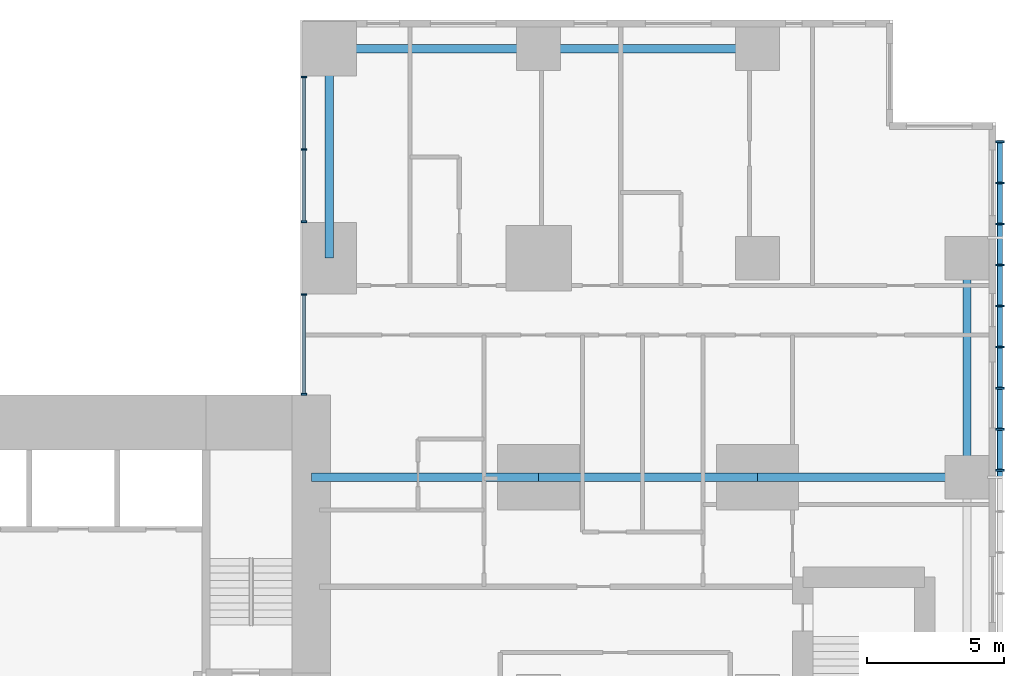
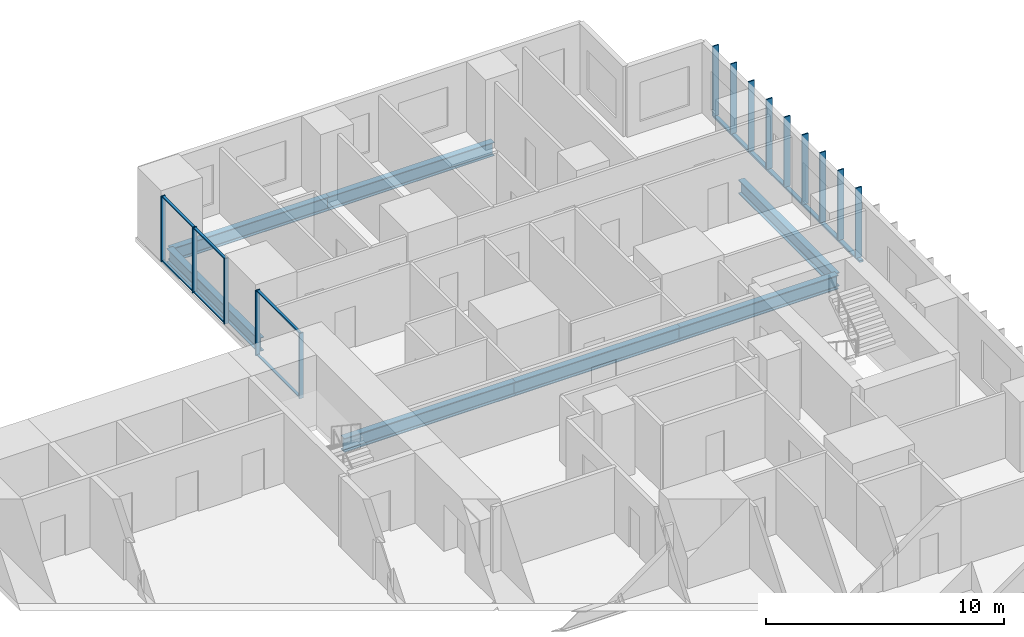
# One storey, part 3 of 12: 21 members, 7 beams, 2 elements without a shape of their own.
"""IFC4 building model written with IfcOpenShell, lengths in metres."""

import ifcopenshell
import ifcopenshell.guid

model = None  # the IFC model being written
_history = None  # IfcOwnerHistory: only IFC2X3 demands one
_inside = {}  # id of a spatial element -> (the spatial element, [elements in it])
_under = {}  # id of a project, library or spatial element -> (it, [spatial elements below it])
_declared = {}  # id of a project -> (the project, [libraries it declares])
_typed = {}  # id of a type object -> (the type object, [elements of that type])
_made_of = {}  # id of a material, layer set ... -> (it, [elements and type objects made of it])


def new_model(schema):
    """Start an empty IFC model of exactly this schema.

    Asked for "IFC4X3", IfcOpenShell would pick the latest addendum, in which some entities
    have other attributes; the version numbers below select the first issue.
    IFC2X3 requires an IfcOwnerHistory on every rooted entity: one is made here for all.
    """
    global model, _history
    if schema == "IFC4X3":
        model = ifcopenshell.file(schema_version=(4, 3, 0, 0))
    else:
        model = ifcopenshell.file(schema=schema)
    _inside.clear()
    _under.clear()
    _declared.clear()
    _typed.clear()
    _made_of.clear()
    _history = None
    if model.schema == "IFC2X3":
        org = make("IfcOrganization", Name="unknown")
        user = make(
            "IfcPersonAndOrganization",
            ThePerson=make("IfcPerson", FamilyName="unknown"),
            TheOrganization=org,
        )
        app = make(
            "IfcApplication",
            ApplicationDeveloper=org,
            Version="unknown",
            ApplicationFullName="unknown",
            ApplicationIdentifier="unknown",
        )
        _history = make(
            "IfcOwnerHistory",
            OwningUser=user,
            OwningApplication=app,
            ChangeAction="ADDED",
            CreationDate=0,
        )
    return model


def make(cls, **values):
    """One entity of the class cls with the attributes given. An attribute that is None is left unset."""
    return model.create_entity(
        cls, **{name: value for name, value in values.items() if value is not None}
    )


def rooted(cls, **values):
    """An entity with a GlobalId (a new one), such as an element, a storey or a relation."""
    return make(cls, GlobalId=ifcopenshell.guid.new(), OwnerHistory=_history, **values)


def si_unit(unit_type, name, prefix=None):
    """IfcSIUnit, for example si_unit("LENGTHUNIT", "METRE", prefix="MILLI")."""
    return make("IfcSIUnit", UnitType=unit_type, Prefix=prefix, Name=name)


def assignment(units):
    """IfcUnitAssignment: the units of a project."""
    return None if units is None else make("IfcUnitAssignment", Units=units)


def point(xyz):
    """IfcCartesianPoint."""
    return None if xyz is None else make("IfcCartesianPoint", Coordinates=xyz)


def direction(xyz):
    """IfcDirection."""
    return None if xyz is None else make("IfcDirection", DirectionRatios=xyz)


def frame(location, z_axis=None, x_axis=None):
    """IfcAxis2Placement3D, a coordinate frame: its origin and axes. An axis left out is left unset."""
    return make(
        "IfcAxis2Placement3D",
        Location=point(location),
        Axis=direction(z_axis),
        RefDirection=direction(x_axis),
    )


def frame_2d(location, x_axis=None):
    """IfcAxis2Placement2D, a coordinate frame in the plane: its origin and x axis."""
    return make(
        "IfcAxis2Placement2D", Location=point(location), RefDirection=direction(x_axis)
    )


def origin():
    """The frame at (0, 0, 0) with its axes left unset."""
    return frame((0.0, 0.0, 0.0))


def origin_2d():
    """The frame at (0, 0) in the plane with its x axis left unset."""
    return frame_2d((0.0, 0.0))


def place(relative_to, where):
    """IfcLocalPlacement: puts the frame where relative to a parent placement (None: the world)."""
    return make(
        "IfcLocalPlacement", PlacementRelTo=relative_to, RelativePlacement=where
    )


def context(
    kind, dimensions, precision=None, world=None, true_north=None, identifier=None
):
    """IfcGeometricRepresentationContext, for example the 3D "Model" context."""
    return make(
        "IfcGeometricRepresentationContext",
        ContextIdentifier=identifier,
        ContextType=kind,
        CoordinateSpaceDimension=dimensions,
        Precision=precision,
        WorldCoordinateSystem=world,
        TrueNorth=true_north,
    )


def subcontext(parent, identifier, kind, view, scale=None):
    """IfcGeometricRepresentationSubContext, for example "Body" below "Model"."""
    return make(
        "IfcGeometricRepresentationSubContext",
        ContextIdentifier=identifier,
        ContextType=kind,
        ParentContext=parent,
        TargetScale=scale,
        TargetView=view,
    )


def project(units=None, contexts=None):
    """IfcProject with its units and contexts."""
    return rooted(
        "IfcProject",
        Name="project",
        RepresentationContexts=contexts,
        UnitsInContext=assignment(units),
    )


def spatial(cls, under=None, at=None, **own):
    """A site, building, storey or space (cls), placed at a placement, below another one or the project."""
    s = rooted(cls, ObjectPlacement=at, **own)
    if under is not None:
        _under.setdefault(under.id(), (under, []))[1].append(s)
    return s


def profile(cls, at=None, kind="AREA", **sizes):
    """A parametric profile (cls). Its sizes go by their IFC names, for example OverallWidth=200.0."""
    return make(cls, ProfileType=kind, Position=at, **sizes)


def rectangle(**sizes):
    """IfcRectangleProfileDef."""
    return profile("IfcRectangleProfileDef", **sizes)


def hollow_rectangle(**sizes):
    """IfcRectangleHollowProfileDef."""
    return profile("IfcRectangleHollowProfileDef", **sizes)


def i_section(**sizes):
    """IfcIShapeProfileDef."""
    return profile("IfcIShapeProfileDef", **sizes)


def extrude(swept, where, along, depth):
    """IfcExtrudedAreaSolid: the profile swept, set in the frame where, extruded along a direction by depth."""
    return make(
        "IfcExtrudedAreaSolid",
        SweptArea=swept,
        Position=where,
        ExtrudedDirection=direction(along),
        Depth=depth,
    )


def shape(context_of_items, identifier, shape_type, items):
    """IfcShapeRepresentation: the items that make up one representation, for example the "Body"."""
    return make(
        "IfcShapeRepresentation",
        ContextOfItems=context_of_items,
        RepresentationIdentifier=identifier,
        RepresentationType=shape_type,
        Items=items,
    )


def material(Name=None, Category=None):
    """IfcMaterial."""
    return make("IfcMaterial", Name=Name, Category=Category)


def layer(
    of_material, thickness, ventilated=None, Name=None, Category=None, Priority=None
):
    """IfcMaterialLayer: one layer of a wall or slab, of a material (None: an air gap)."""
    return make(
        "IfcMaterialLayer",
        Material=of_material,
        LayerThickness=thickness,
        IsVentilated=ventilated,
        Name=Name,
        Category=Category,
        Priority=Priority,
    )


def layer_set(layers, Name=None):
    """IfcMaterialLayerSet."""
    return make("IfcMaterialLayerSet", MaterialLayers=layers, LayerSetName=Name)


def material_profile(
    of_material, cross_section, Name=None, Category=None, Priority=None
):
    """IfcMaterialProfile: a cross section and its material."""
    return make(
        "IfcMaterialProfile",
        Name=Name,
        Material=of_material,
        Profile=cross_section,
        Priority=Priority,
        Category=Category,
    )


def profile_set(profiles, Name=None, composite=None):
    """IfcMaterialProfileSet."""
    return make(
        "IfcMaterialProfileSet",
        Name=Name,
        MaterialProfiles=profiles,
        CompositeProfile=composite,
    )


def made_of(thing, what):
    """Note that an element or type object is made of a material, layer set ...; save() writes the relation."""
    if what is not None:
        _made_of.setdefault(what.id(), (what, []))[1].append(thing)
    return thing


def type_object(cls, material=None, **own):
    """A type object (cls), such as IfcWallType, which elements share."""
    return made_of(rooted(cls, **own), material)


def element(
    cls,
    number,
    at=None,
    inside=None,
    cuts=None,
    type_object=None,
    material=None,
    context=None,
    identifier="Body",
    shape_type=None,
    held_by="IfcProductDefinitionShape",
    body=None,
    shapes=None,
    **own,
):
    """One element of the class cls, such as IfcWall. Its Tag is "e" and its number.

    at: its placement. inside: the storey or other place that contains it. cuts: it is an
    opening in that element (IfcRelVoidsElement). A single representation is given by context,
    identifier, shape_type and body (its items); several are given by shapes. held_by: the class
    of the entity that holds the representations. save() writes the other relations.
    """
    e = rooted(cls, Tag="e%d" % number, ObjectPlacement=at, **own)
    if body is not None:
        shapes = [shape(context, identifier, shape_type, body)]
    if shapes is not None:
        e.Representation = make(held_by, Representations=shapes)
    if inside is not None:
        _inside.setdefault(inside.id(), (inside, []))[1].append(e)
    if cuts is not None:
        rooted(
            "IfcRelVoidsElement", RelatingBuildingElement=cuts, RelatedOpeningElement=e
        )
    if type_object is not None:
        _typed.setdefault(type_object.id(), (type_object, []))[1].append(e)
    return made_of(e, material)


def aggregate(whole, parts):
    """IfcRelAggregates: a whole, such as a stair, and the parts it consists of."""
    return rooted("IfcRelAggregates", RelatingObject=whole, RelatedObjects=parts)


def save(model, path):
    """Write the relations noted so far, then the file.

    IfcRelAggregates (storeys below a building ...), IfcRelContainedInSpatialStructure (elements
    in a storey), IfcRelDefinesByType, IfcRelAssociatesMaterial and IfcRelDeclares: one each for
    every whole, place, type object, material and project.
    """
    for whole, parts in _under.values():
        aggregate(whole, parts)
    for where, things in _inside.values():
        rooted(
            "IfcRelContainedInSpatialStructure",
            RelatedElements=things,
            RelatingStructure=where,
        )
    for kind, things in _typed.values():
        rooted("IfcRelDefinesByType", RelatedObjects=things, RelatingType=kind)
    for what, things in _made_of.values():
        rooted("IfcRelAssociatesMaterial", RelatedObjects=things, RelatingMaterial=what)
    for by, libraries in _declared.values():
        rooted("IfcRelDeclares", RelatingContext=by, RelatedDefinitions=libraries)
    model.write(path)


model = new_model("IFC4")

# Units and contexts
model_context = context("Model", 3, precision=1e-05, world=origin(), true_north=direction((0.0, 1.0)))
body_context = subcontext(model_context, "Body", "Model", "MODEL_VIEW")
ifc_project = project(units=[si_unit("LENGTHUNIT", "METRE"), si_unit("AREAUNIT", "SQUARE_METRE"), si_unit("VOLUMEUNIT", "CUBIC_METRE"), si_unit("PLANEANGLEUNIT", "RADIAN"), si_unit("MASSUNIT", "GRAM", prefix="KILO")], contexts=[model_context])

# Site, building, storey
site_placement = place(None, origin())
site = spatial("IfcSite", under=ifc_project, at=site_placement, CompositionType="ELEMENT")
building_placement = place(site_placement, origin())
building = spatial("IfcBuilding", under=site, at=building_placement, Name="Cleftline Residences", CompositionType="ELEMENT")
storey_placement = place(building_placement, frame((0.0, 0.0, 262.800048828125)))
storey = spatial("IfcBuildingStorey", under=building, at=storey_placement, Name="L69", CompositionType="ELEMENT", Elevation=262.800048828125)

# Member
ifc_material_1 = material(Name="Steel S355, hot-dip galvanised", Category="steel")
ifc_material_profile_1 = material_profile(ifc_material_1, hollow_rectangle(XDim=0.10009765625, YDim=0.199951171875, WallThickness=0.008056640625, InnerFilletRadius=0.008056640625, OuterFilletRadius=0.011962890625, at=origin_2d()))
ifc_profile_set_1 = profile_set([ifc_material_profile_1], Name="Steel S355, hot-dip galvanised")
member_type_1 = type_object("IfcMemberType", Name="BAGUETTE CARRIER RHS 200X100X8", PredefinedType="USERDEFINED", material=ifc_profile_set_1)
member_1_placement = place(storey_placement, frame((66.85009765625, 32.0, -0.050048828125), z_axis=(0.0, 1.0, 0.0), x_axis=(0.0, 0.0, 1.0)))
element("IfcMember", 1, at=member_1_placement, inside=storey, type_object=member_type_1, Name="Baguette carrier", ObjectType="BAGUETTE CARRIER", PredefinedType="USERDEFINED", context=body_context, shape_type="SweptSolid", body=[
    extrude(hollow_rectangle(XDim=0.10009765625, YDim=0.199951171875, WallThickness=0.008056640625, InnerFilletRadius=0.008056640625, OuterFilletRadius=0.011962890625, at=origin_2d()), origin(), (0.0, 0.0, 1.0), 12.300048828125),
])

# Beams
ifc_material_2 = material(Name="Steel S355", Category="steel")
ifc_material_profile_2 = material_profile(ifc_material_2, i_section(OverallWidth=0.300048828125, OverallDepth=0.699951171875, WebThickness=0.01708984375, FlangeThickness=0.031982421875, FilletRadius=0.027099609375, at=origin_2d()))
ifc_profile_set_2 = profile_set([ifc_material_profile_2], Name="Steel S355")
beam_type_1 = type_object("IfcBeamType", Name="BEAM HEB 700", PredefinedType="BEAM", material=ifc_profile_set_2)
for number, where, z_axis, x_axis, name in (
    (2, (65.64990234375, 32.0, -0.60009765625), (0.0, 1.0, 0.0), (-1.0, 0.0, 0.0), "Edge beam"),
    (3, (58.0, 47.64990234375, -0.60009765625), (-1.0, 0.0, 0.0), (0.0, -1.0, 0.0), "Edge beam"),
):
    element("IfcBeam", number, at=place(storey_placement, frame(where, z_axis=z_axis, x_axis=x_axis)), inside=storey, type_object=beam_type_1, Name=name, PredefinedType="BEAM", context=body_context, shape_type="SweptSolid", body=[
        extrude(i_section(OverallWidth=0.300048828125, OverallDepth=0.699951171875, WebThickness=0.01708984375, FlangeThickness=0.031982421875, FilletRadius=0.027099609375, at=origin_2d()), origin(), (0.0, 0.0, 1.0), 8.0),
    ])
for number, where, z_axis, x_axis, name in (
    (4, (50.0, 47.64990234375, -0.60009765625), (-1.0, 0.0, 0.0), (0.0, -1.0, 0.0), "Edge beam"),
    (5, (42.35009765625, 47.64990234375, -0.60009765625), (0.0, -1.0, 0.0), (1.0, 0.0, 0.0), "Edge beam"),
):
    element("IfcBeam", number, at=place(storey_placement, frame(where, z_axis=z_axis, x_axis=x_axis)), inside=storey, type_object=beam_type_1, Name=name, PredefinedType="BEAM", context=body_context, shape_type="SweptSolid", body=[
        extrude(i_section(OverallWidth=0.300048828125, OverallDepth=0.699951171875, WebThickness=0.01708984375, FlangeThickness=0.031982421875, FilletRadius=0.027099609375, at=origin_2d()), origin(), (0.0, 0.0, 1.0), 7.64990234375),
    ])
ifc_material_3 = material(Name="Steel S355", Category="steel")
ifc_material_profile_3 = material_profile(ifc_material_3, i_section(OverallWidth=0.303955078125, OverallDepth=0.716064453125, WebThickness=0.02099609375, FlangeThickness=0.0400390625, FilletRadius=0.027099609375, at=origin_2d()))
ifc_profile_set_3 = profile_set([ifc_material_profile_3], Name="Steel S355")
beam_type_2 = type_object("IfcBeamType", Name="BEAM HEM 700", PredefinedType="BEAM", material=ifc_profile_set_3)
beam_1_placement = place(storey_placement, frame((65.64990234375, 32.0, -0.608154296875), z_axis=(-1.0, 0.0, 0.0), x_axis=(0.0, -1.0, 0.0)))
element("IfcBeam", 6, at=beam_1_placement, inside=storey, type_object=beam_type_2, Name="Band beam", PredefinedType="BEAM", context=body_context, shape_type="SweptSolid", body=[
    extrude(i_section(OverallWidth=0.303955078125, OverallDepth=0.716064453125, WebThickness=0.02099609375, FlangeThickness=0.0400390625, FilletRadius=0.027099609375, at=origin_2d()), origin(), (0.0, 0.0, 1.0), 7.64990234375),
])
beam_2_placement = place(storey_placement, frame((58.0, 32.0, -0.608154296875), z_axis=(-1.0, 0.0, 0.0), x_axis=(0.0, -1.0, 0.0)))
element("IfcBeam", 7, at=beam_2_placement, inside=storey, type_object=beam_type_2, Name="Band beam", PredefinedType="BEAM", context=body_context, shape_type="SweptSolid", body=[
    extrude(i_section(OverallWidth=0.303955078125, OverallDepth=0.716064453125, WebThickness=0.02099609375, FlangeThickness=0.0400390625, FilletRadius=0.027099609375, at=origin_2d()), origin(), (0.0, 0.0, 1.0), 8.0),
])
beam_3_placement = place(storey_placement, frame((50.0, 32.0, -0.608154296875), z_axis=(-1.0, 0.0, 0.0), x_axis=(0.0, -1.0, 0.0)))
element("IfcBeam", 8, at=beam_3_placement, inside=storey, type_object=beam_type_2, Name="Band beam", PredefinedType="BEAM", context=body_context, shape_type="SweptSolid", body=[
    extrude(i_section(OverallWidth=0.303955078125, OverallDepth=0.716064453125, WebThickness=0.02099609375, FlangeThickness=0.0400390625, FilletRadius=0.027099609375, at=origin_2d()), origin(), (0.0, 0.0, 1.0), 8.300048828125),
])

# Curtain wall, members
ifc_material_4 = material(Name="Aluminium framed curtain wall", Category="aluminium")
ifc_layer = layer(ifc_material_4, 0.199951171875)
ifc_layer_set = layer_set([ifc_layer], Name="CW1 CLEFT GLAZING")
curtain_wall_type = type_object("IfcCurtainWallType", Name="CW1 CLEFT GLAZING", PredefinedType="NOTDEFINED", material=ifc_layer_set)
curtain_wall_1_placement = place(storey_placement, origin())
curtain_wall_1 = element("IfcCurtainWall", 9, at=curtain_wall_1_placement, inside=storey, type_object=curtain_wall_type, Name="Curtain wall CW1", PredefinedType="NOTDEFINED")
ifc_material_5 = material(Name="Aluminium mullion", Category="aluminium")
ifc_material_profile_4 = material_profile(ifc_material_5, rectangle(XDim=0.199951171875, YDim=0.06005859375, at=origin_2d()))
ifc_profile_set_4 = profile_set([ifc_material_profile_4], Name="Aluminium mullion")
member_type_2 = type_object("IfcMemberType", Name="CW1 MULLION", PredefinedType="MULLION", material=ifc_profile_set_4)
member_2_placement = place(storey_placement, frame((41.425048828125, 46.6201171875, 0.0), z_axis=(0.0, 0.0, 1.0), x_axis=(1.0, 0.0, 0.0)))
member_2 = element("IfcMember", 10, at=member_2_placement, type_object=member_type_2, Name="CW1 mullion 1", PredefinedType="MULLION", context=body_context, shape_type="SweptSolid", body=[
    extrude(rectangle(XDim=0.199951171875, YDim=0.06005859375, at=origin_2d()), origin(), (0.0, 0.0, 1.0), 3.349853515625),
])
member_3_placement = place(storey_placement, frame((41.425048828125, 43.97509765625, 0.0), z_axis=(0.0, 0.0, 1.0), x_axis=(1.0, 0.0, 0.0)))
member_3 = element("IfcMember", 11, at=member_3_placement, type_object=member_type_2, Name="CW1 mullion 2", PredefinedType="MULLION", context=body_context, shape_type="SweptSolid", body=[
    extrude(rectangle(XDim=0.199951171875, YDim=0.06005859375, at=origin_2d()), origin(), (0.0, 0.0, 1.0), 3.349853515625),
])
member_4_placement = place(storey_placement, frame((41.425048828125, 41.330078125, 0.0), z_axis=(0.0, 0.0, 1.0), x_axis=(1.0, 0.0, 0.0)))
member_4 = element("IfcMember", 12, at=member_4_placement, type_object=member_type_2, Name="CW1 mullion 3", PredefinedType="MULLION", context=body_context, shape_type="SweptSolid", body=[
    extrude(rectangle(XDim=0.199951171875, YDim=0.06005859375, at=origin_2d()), origin(), (0.0, 0.0, 1.0), 3.349853515625),
])

curtain_wall_2_placement = place(storey_placement, origin())
curtain_wall_2 = element("IfcCurtainWall", 13, at=curtain_wall_2_placement, inside=storey, type_object=curtain_wall_type, Name="Curtain wall CW1", PredefinedType="NOTDEFINED")
member_5_placement = place(storey_placement, frame((41.425048828125, 38.669921875, 0.0), z_axis=(0.0, 0.0, 1.0), x_axis=(1.0, 0.0, 0.0)))
member_5 = element("IfcMember", 14, at=member_5_placement, type_object=member_type_2, Name="CW1 mullion 1", PredefinedType="MULLION", context=body_context, shape_type="SweptSolid", body=[
    extrude(rectangle(XDim=0.199951171875, YDim=0.06005859375, at=origin_2d()), origin(), (0.0, 0.0, 1.0), 3.349853515625),
])
member_6_placement = place(storey_placement, frame((41.425048828125, 35.030029296875, 0.0), z_axis=(0.0, 0.0, 1.0), x_axis=(1.0, 0.0, 0.0)))
member_6 = element("IfcMember", 15, at=member_6_placement, type_object=member_type_2, Name="CW1 mullion 2", PredefinedType="MULLION", context=body_context, shape_type="SweptSolid", body=[
    extrude(rectangle(XDim=0.199951171875, YDim=0.06005859375, at=origin_2d()), origin(), (0.0, 0.0, 1.0), 3.349853515625),
])

# Member
ifc_material_6 = material(Name="Aluminium transom", Category="aluminium")
ifc_material_profile_5 = material_profile(ifc_material_6, rectangle(XDim=0.1201171875, YDim=0.06005859375, at=origin_2d()))
ifc_profile_set_5 = profile_set([ifc_material_profile_5], Name="Aluminium transom")
member_type_3 = type_object("IfcMemberType", Name="CW1 TRANSOM", PredefinedType="USERDEFINED", material=ifc_profile_set_5)
member_7_placement = place(storey_placement, frame((41.425048828125, 46.590087890625, 0.030029296875), z_axis=(0.0, -1.0, 0.0), x_axis=(1.0, 0.0, 0.0)))
member_7 = element("IfcMember", 16, at=member_7_placement, type_object=member_type_3, Name="CW1 transom 1.1", ObjectType="TRANSOM", PredefinedType="USERDEFINED", context=body_context, shape_type="SweptSolid", body=[
    extrude(rectangle(XDim=0.1201171875, YDim=0.06005859375, at=origin_2d()), origin(), (0.0, 0.0, 1.0), 2.585205078125),
])

member_8_placement = place(storey_placement, frame((41.425048828125, 46.590087890625, 3.320068359375), z_axis=(0.0, -1.0, 0.0), x_axis=(1.0, 0.0, 0.0)))
member_8 = element("IfcMember", 17, at=member_8_placement, type_object=member_type_3, Name="CW1 transom 1.2", ObjectType="TRANSOM", PredefinedType="USERDEFINED", context=body_context, shape_type="SweptSolid", body=[
    extrude(rectangle(XDim=0.1201171875, YDim=0.06005859375, at=origin_2d()), origin(), (0.0, 0.0, 1.0), 2.585205078125),
])

member_9_placement = place(storey_placement, frame((41.425048828125, 43.945068359375, 0.030029296875), z_axis=(0.0, -1.0, 0.0), x_axis=(1.0, 0.0, 0.0)))
member_9 = element("IfcMember", 18, at=member_9_placement, type_object=member_type_3, Name="CW1 transom 2.1", ObjectType="TRANSOM", PredefinedType="USERDEFINED", context=body_context, shape_type="SweptSolid", body=[
    extrude(rectangle(XDim=0.1201171875, YDim=0.06005859375, at=origin_2d()), origin(), (0.0, 0.0, 1.0), 2.5849609375),
])

member_10_placement = place(storey_placement, frame((41.425048828125, 43.945068359375, 3.320068359375), z_axis=(0.0, -1.0, 0.0), x_axis=(1.0, 0.0, 0.0)))
member_10 = element("IfcMember", 19, at=member_10_placement, type_object=member_type_3, Name="CW1 transom 2.2", ObjectType="TRANSOM", PredefinedType="USERDEFINED", context=body_context, shape_type="SweptSolid", body=[
    extrude(rectangle(XDim=0.1201171875, YDim=0.06005859375, at=origin_2d()), origin(), (0.0, 0.0, 1.0), 2.5849609375),
])

aggregate(curtain_wall_1, [member_2, member_3, member_4, member_7, member_8, member_9, member_10])

member_11_placement = place(storey_placement, frame((41.425048828125, 38.639892578125, 0.030029296875), z_axis=(0.0, -1.0, 0.0), x_axis=(1.0, 0.0, 0.0)))
member_11 = element("IfcMember", 20, at=member_11_placement, type_object=member_type_3, Name="CW1 transom 1.1", ObjectType="TRANSOM", PredefinedType="USERDEFINED", context=body_context, shape_type="SweptSolid", body=[
    extrude(rectangle(XDim=0.1201171875, YDim=0.06005859375, at=origin_2d()), origin(), (0.0, 0.0, 1.0), 3.579833984375),
])

member_12_placement = place(storey_placement, frame((41.425048828125, 38.639892578125, 3.320068359375), z_axis=(0.0, -1.0, 0.0), x_axis=(1.0, 0.0, 0.0)))
member_12 = element("IfcMember", 21, at=member_12_placement, type_object=member_type_3, Name="CW1 transom 1.2", ObjectType="TRANSOM", PredefinedType="USERDEFINED", context=body_context, shape_type="SweptSolid", body=[
    extrude(rectangle(XDim=0.1201171875, YDim=0.06005859375, at=origin_2d()), origin(), (0.0, 0.0, 1.0), 3.579833984375),
])

aggregate(curtain_wall_2, [member_5, member_6, member_11, member_12])

# Members
ifc_material_7 = material(Name="Extruded terracotta", Category="masonry")
ifc_material_profile_6 = material_profile(ifc_material_7, rectangle(XDim=0.06005859375, YDim=0.300048828125, at=origin_2d()))
ifc_profile_set_6 = profile_set([ifc_material_profile_6], Name="Extruded terracotta")
member_type_4 = type_object("IfcMemberType", Name="TERRACOTTA BAGUETTE 60X300", PredefinedType="USERDEFINED", material=ifc_profile_set_6)
for number, where, z_axis, x_axis, name in (
    (22, (66.85009765625, 32.25, 0.0), (0.0, 0.0, 1.0), (0.0, 1.0, 0.0), "Terracotta baguette"),
    (23, (66.85009765625, 33.75, 0.0), (0.0, 0.0, 1.0), (0.0, 1.0, 0.0), "Terracotta baguette"),
    (24, (66.85009765625, 35.25, 0.0), (0.0, 0.0, 1.0), (0.0, 1.0, 0.0), "Terracotta baguette"),
    (25, (66.85009765625, 36.75, 0.0), (0.0, 0.0, 1.0), (0.0, 1.0, 0.0), "Terracotta baguette"),
    (26, (66.85009765625, 38.25, 0.0), (0.0, 0.0, 1.0), (0.0, 1.0, 0.0), "Terracotta baguette"),
    (27, (66.85009765625, 39.75, 0.0), (0.0, 0.0, 1.0), (0.0, 1.0, 0.0), "Terracotta baguette"),
    (28, (66.85009765625, 41.25, 0.0), (0.0, 0.0, 1.0), (0.0, 1.0, 0.0), "Terracotta baguette"),
    (29, (66.85009765625, 42.75, 0.0), (0.0, 0.0, 1.0), (0.0, 1.0, 0.0), "Terracotta baguette"),
    (30, (66.85009765625, 44.25, 0.0), (0.0, 0.0, 1.0), (0.0, 1.0, 0.0), "Terracotta baguette"),
):
    element("IfcMember", number, at=place(storey_placement, frame(where, z_axis=z_axis, x_axis=x_axis)), inside=storey, type_object=member_type_4, Name=name, ObjectType="BAGUETTE", PredefinedType="USERDEFINED", context=body_context, shape_type="SweptSolid", body=[
        extrude(rectangle(XDim=0.06005859375, YDim=0.300048828125, at=origin_2d()), origin(), (0.0, 0.0, 1.0), 3.599853515625),
    ])

save(model, "model.ifc")
